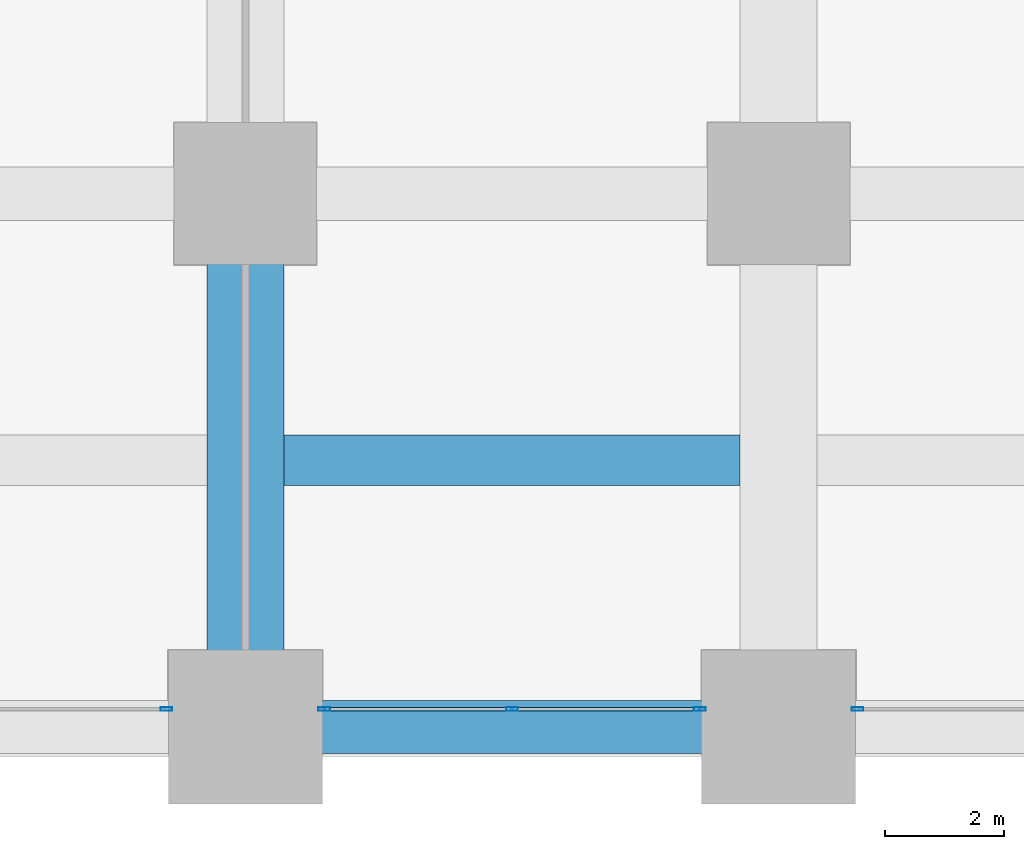
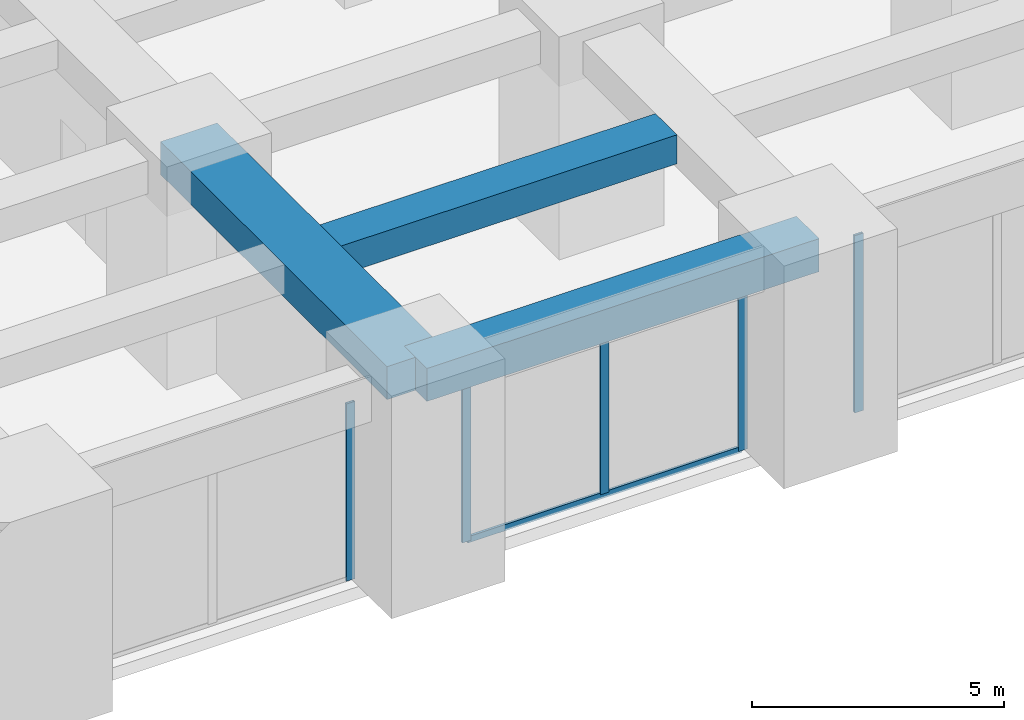
# One storey, part 6 of 45: 6 members, 3 beams, 3 elements without a shape of their own.
"""IFC4 building model written with IfcOpenShell, lengths in metres."""

from ifc_helpers import new_model, si_unit, direction, frame, origin, origin_2d, place, context, subcontext, project, spatial, rectangle, hollow_rectangle, extrude, material, material_profile, profile_set, type_object, element, aggregate, save


model = new_model("IFC4")

# Units and contexts
model_context = context("Model", 3, precision=1e-05, world=origin(), true_north=direction((0.0, 1.0)))
body_context = subcontext(model_context, "Body", "Model", "MODEL_VIEW")
ifc_project = project(units=[si_unit("LENGTHUNIT", "METRE"), si_unit("AREAUNIT", "SQUARE_METRE"), si_unit("VOLUMEUNIT", "CUBIC_METRE"), si_unit("PLANEANGLEUNIT", "RADIAN"), si_unit("MASSUNIT", "GRAM", prefix="KILO")], contexts=[model_context])

# Site, building, storey
site_placement = place(None, origin())
site = spatial("IfcSite", under=ifc_project, at=site_placement, CompositionType="ELEMENT")
building_placement = place(site_placement, origin())
building = spatial("IfcBuilding", under=site, at=building_placement, Name="Zorevar Civic Tower", CompositionType="ELEMENT")
storey_placement = place(building_placement, frame((0.0, 0.0, 5.39990234375)))
storey = spatial("IfcBuildingStorey", under=building, at=storey_placement, Name="L01", CompositionType="ELEMENT", Elevation=5.39990234375)

# Beams
ifc_material_1 = material(Name="Concrete C50/60", Category="concrete")
ifc_material_profile_1 = material_profile(ifc_material_1, rectangle(XDim=1.300048828125, YDim=0.800048828125, at=origin_2d()), Name="RC 1300x800")
ifc_profile_set_1 = profile_set([ifc_material_profile_1], Name="Concrete C50/60")
beam_type_1 = type_object("IfcBeamType", Name="Beam RC 1300x800", PredefinedType="BEAM", material=ifc_profile_set_1)
beam_1_placement = place(storey_placement, frame((9.0, 0.0, 4.7001953125), z_axis=(0.0, 1.0, 0.0), x_axis=(-1.0, 0.0, 0.0)))
element("IfcBeam", 1, at=beam_1_placement, inside=storey, type_object=beam_type_1, Name="Girder L02", PredefinedType="BEAM", context=body_context, shape_type="SweptSolid", body=[
    extrude(rectangle(XDim=1.300048828125, YDim=0.800048828125, at=origin_2d()), origin(), (0.0, 0.0, 1.0), 9.0),
])
ifc_material_2 = material(Name="Concrete C50/60", Category="concrete")
ifc_material_profile_2 = material_profile(ifc_material_2, rectangle(XDim=0.85009765625, YDim=0.699951171875, at=origin_2d()), Name="RC 850x700")
ifc_profile_set_2 = profile_set([ifc_material_profile_2], Name="Concrete C50/60")
beam_type_2 = type_object("IfcBeamType", Name="Beam RC 850x700", PredefinedType="BEAM", material=ifc_profile_set_2)
beam_2_placement = place(storey_placement, frame((9.64990234375, 4.5, 4.75), z_axis=(1.0, 0.0, 0.0), x_axis=(0.0, 1.0, 0.0)))
element("IfcBeam", 2, at=beam_2_placement, inside=storey, type_object=beam_type_2, Name="Secondary beam L02", PredefinedType="BEAM", context=body_context, shape_type="SweptSolid", body=[
    extrude(rectangle(XDim=0.85009765625, YDim=0.699951171875, at=origin_2d()), origin(), (0.0, 0.0, 1.0), 7.7001953125),
])

# Curtain wall, member
ifc_material_3 = material(Name="Dark grey solar-control glass in black aluminium frame", Category="aluminium")
curtain_wall_type = type_object("IfcCurtainWallType", Name="Curtain wall CW1 podium", PredefinedType="NOTDEFINED", material=ifc_material_3)
curtain_wall_1_placement = place(storey_placement, origin())
curtain_wall_1 = element("IfcCurtainWall", 3, at=curtain_wall_1_placement, inside=storey, type_object=curtain_wall_type, Name="CW1 L01", PredefinedType="NOTDEFINED")
ifc_material_4 = material(Name="Aluminium, black anodised", Category="aluminium")
ifc_material_profile_3 = material_profile(ifc_material_4, hollow_rectangle(XDim=0.06005859375, YDim=0.199951171875, WallThickness=0.00390625, at=origin_2d()), Name="AL 200x60x4")
ifc_profile_set_3 = profile_set([ifc_material_profile_3], Name="Aluminium, black anodised")
member_type_1 = type_object("IfcMemberType", Name="CW1 mullion AL 200x60x4", PredefinedType="MULLION", material=ifc_profile_set_3)
member_1_placement = place(storey_placement, frame((7.669921875, 0.300048828125, 0.0), z_axis=(0.0, 0.0, 1.0), x_axis=(0.0, 1.0, 0.0)))
member_1 = element("IfcMember", 4, at=member_1_placement, type_object=member_type_1, Name="CW1 mullion 3", PredefinedType="MULLION", context=body_context, shape_type="SweptSolid", body=[
    extrude(hollow_rectangle(XDim=0.06005859375, YDim=0.199951171875, WallThickness=0.00390625, at=origin_2d()), origin(), (0.0, 0.0, 1.0), 4.300048828125),
])
aggregate(curtain_wall_1, [member_1])

# Curtain wall, members
curtain_wall_2_placement = place(storey_placement, origin())
curtain_wall_2 = element("IfcCurtainWall", 5, at=curtain_wall_2_placement, inside=storey, type_object=curtain_wall_type, Name="CW1 L01", PredefinedType="NOTDEFINED")
member_2_placement = place(storey_placement, frame((10.330078125, 0.300048828125, 0.0), z_axis=(0.0, 0.0, 1.0), x_axis=(0.0, 1.0, 0.0)))
member_2 = element("IfcMember", 6, at=member_2_placement, type_object=member_type_1, Name="CW1 mullion 1", PredefinedType="MULLION", context=body_context, shape_type="SweptSolid", body=[
    extrude(hollow_rectangle(XDim=0.06005859375, YDim=0.199951171875, WallThickness=0.00390625, at=origin_2d()), origin(), (0.0, 0.0, 1.0), 4.300048828125),
])
member_3_placement = place(storey_placement, frame((13.5, 0.300048828125, 0.06005859375), z_axis=(0.0, 0.0, 1.0), x_axis=(0.0, 1.0, 0.0)))
member_3 = element("IfcMember", 7, at=member_3_placement, type_object=member_type_1, Name="CW1 mullion 2", PredefinedType="MULLION", context=body_context, shape_type="SweptSolid", body=[
    extrude(hollow_rectangle(XDim=0.06005859375, YDim=0.199951171875, WallThickness=0.00390625, at=origin_2d()), origin(), (0.0, 0.0, 1.0), 4.239990234375),
])
member_4_placement = place(storey_placement, frame((16.669921875, 0.300048828125, 0.0), z_axis=(0.0, 0.0, 1.0), x_axis=(0.0, 1.0, 0.0)))
member_4 = element("IfcMember", 8, at=member_4_placement, type_object=member_type_1, Name="CW1 mullion 3", PredefinedType="MULLION", context=body_context, shape_type="SweptSolid", body=[
    extrude(hollow_rectangle(XDim=0.06005859375, YDim=0.199951171875, WallThickness=0.00390625, at=origin_2d()), origin(), (0.0, 0.0, 1.0), 4.300048828125),
])

# Curtain wall, member
curtain_wall_3_placement = place(storey_placement, origin())
curtain_wall_3 = element("IfcCurtainWall", 9, at=curtain_wall_3_placement, inside=storey, type_object=curtain_wall_type, Name="CW1 L01", PredefinedType="NOTDEFINED")
member_5_placement = place(storey_placement, frame((19.330078125, 0.300048828125, 0.0), z_axis=(0.0, 0.0, 1.0), x_axis=(0.0, 1.0, 0.0)))
member_5 = element("IfcMember", 10, at=member_5_placement, type_object=member_type_1, Name="CW1 mullion 1", PredefinedType="MULLION", context=body_context, shape_type="SweptSolid", body=[
    extrude(hollow_rectangle(XDim=0.06005859375, YDim=0.199951171875, WallThickness=0.00390625, at=origin_2d()), origin(), (0.0, 0.0, 1.0), 4.300048828125),
])
aggregate(curtain_wall_3, [member_5])

# Member
ifc_material_5 = material(Name="Aluminium, black anodised", Category="aluminium")
ifc_material_profile_4 = material_profile(ifc_material_5, hollow_rectangle(XDim=0.06005859375, YDim=0.14990234375, WallThickness=0.00390625, at=origin_2d()), Name="AL 150x60x4")
ifc_profile_set_4 = profile_set([ifc_material_profile_4], Name="Aluminium, black anodised")
member_type_2 = type_object("IfcMemberType", Name="CW1 transom AL 150x60x4", PredefinedType="USERDEFINED", material=ifc_profile_set_4)
member_6_placement = place(storey_placement, frame((10.360107421875, 0.300048828125, 0.030029296875), z_axis=(1.0, 0.0, 0.0), x_axis=(0.0, 1.0, 0.0)))
member_6 = element("IfcMember", 11, at=member_6_placement, type_object=member_type_2, Name="CW1 sill transom", ObjectType="TRANSOM", PredefinedType="USERDEFINED", context=body_context, shape_type="SweptSolid", body=[
    extrude(hollow_rectangle(XDim=0.06005859375, YDim=0.14990234375, WallThickness=0.00390625, at=origin_2d()), origin(), (0.0, 0.0, 1.0), 6.27978515625),
])

aggregate(curtain_wall_2, [member_2, member_3, member_4, member_6])

# Beam
ifc_material_6 = material(Name="Concrete C50/60", Category="concrete")
ifc_material_profile_5 = material_profile(ifc_material_6, rectangle(XDim=0.89990234375, YDim=0.800048828125, at=origin_2d()), Name="RC 900x800")
ifc_profile_set_5 = profile_set([ifc_material_profile_5], Name="Concrete C50/60")
beam_type_3 = type_object("IfcBeamType", Name="Edge beam RC 900x800", PredefinedType="SPANDREL", material=ifc_profile_set_5)
beam_3_placement = place(storey_placement, frame((9.0, 0.0, 4.7001953125), z_axis=(1.0, 0.0, 0.0), x_axis=(0.0, 1.0, 0.0)))
element("IfcBeam", 12, at=beam_3_placement, inside=storey, type_object=beam_type_3, Name="Edge beam L02", PredefinedType="SPANDREL", context=body_context, shape_type="SweptSolid", body=[
    extrude(rectangle(XDim=0.89990234375, YDim=0.800048828125, at=origin_2d()), origin(), (0.0, 0.0, 1.0), 9.0),
])

save(model, "model.ifc")
